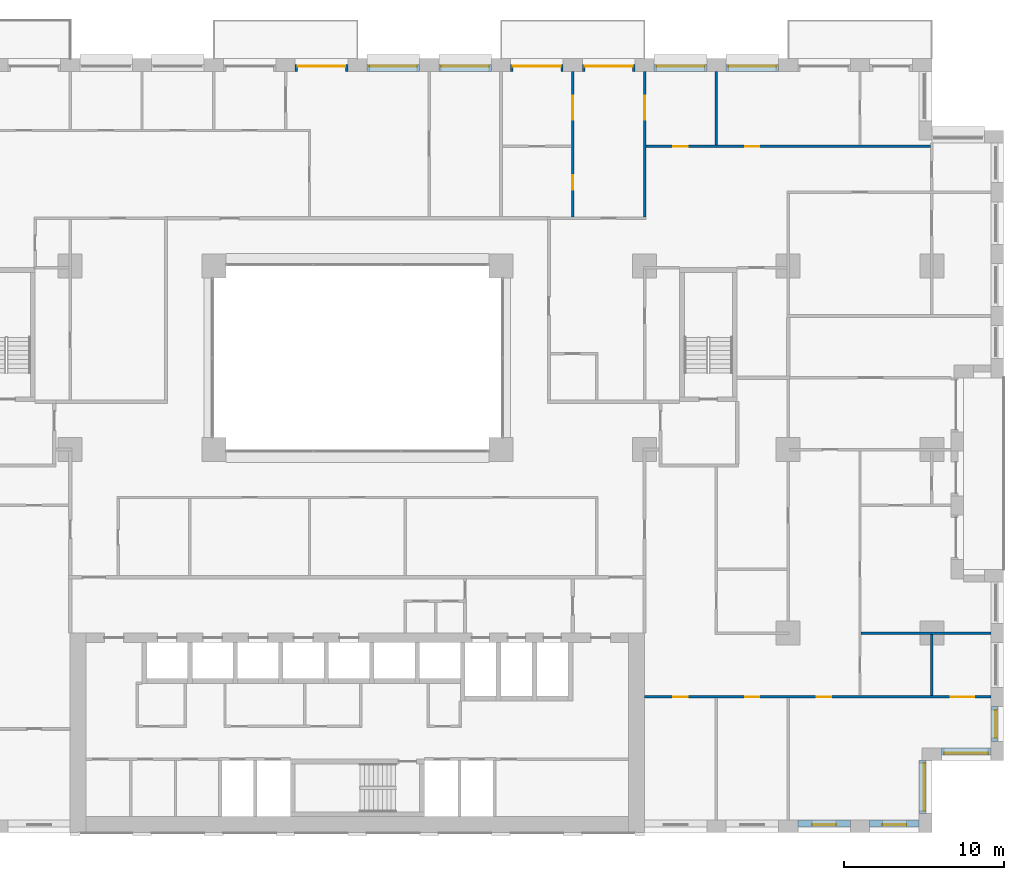
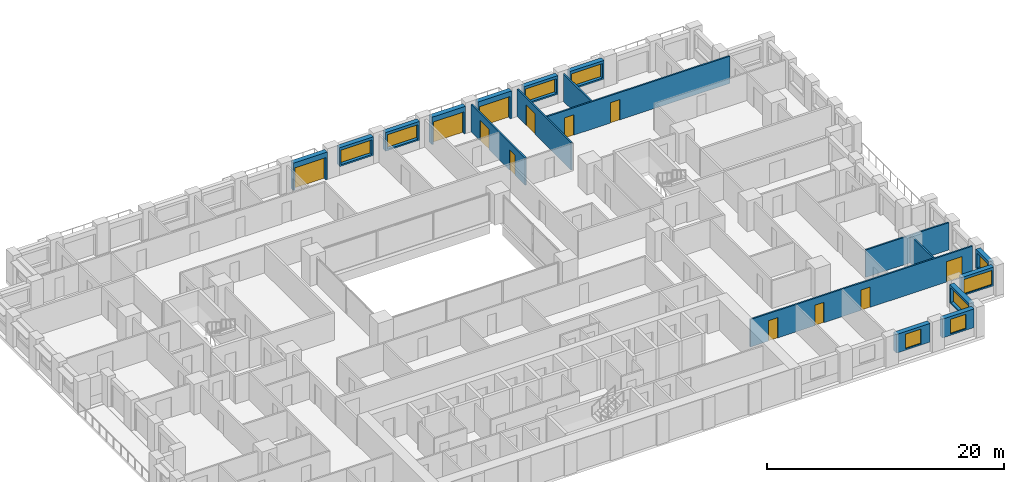
# One storey, part 16 of 20: 19 walls, 12 doors, 9 windows, 21 openings.
"""IFC4 building model written with IfcOpenShell, lengths in metres."""

from ifc_helpers import new_model, si_unit, direction, frame, frame_2d, origin, place, context, subcontext, project, spatial, rectangle, extrude, material, layer, layer_set, type_object, element, fill, save


model = new_model("IFC4")

# Units and contexts
model_context = context("Model", 3, precision=1e-05, world=origin(), true_north=direction((0.0, 1.0)))
body_context = subcontext(model_context, "Body", "Model", "MODEL_VIEW")
ifc_project = project(units=[si_unit("LENGTHUNIT", "METRE"), si_unit("AREAUNIT", "SQUARE_METRE"), si_unit("VOLUMEUNIT", "CUBIC_METRE"), si_unit("PLANEANGLEUNIT", "RADIAN"), si_unit("MASSUNIT", "GRAM", prefix="KILO")], contexts=[model_context])

# Site, building, storey
site_placement = place(None, origin())
site = spatial("IfcSite", under=ifc_project, at=site_placement, CompositionType="ELEMENT")
building_placement = place(site_placement, origin())
building = spatial("IfcBuilding", under=site, at=building_placement, Name="Brigalow Station Residences", CompositionType="ELEMENT")
storey_placement = place(building_placement, frame((0.0, 0.0, 57.300048828125)))
storey = spatial("IfcBuildingStorey", under=building, at=storey_placement, Name="L16", CompositionType="ELEMENT", Elevation=57.300048828125)

# Wall, opening, window
ifc_material_1 = material(Name="Clay brick masonry", Category="masonry")
ifc_layer_1 = layer(ifc_material_1, 0.449951171875)
ifc_layer_set_1 = layer_set([ifc_layer_1], Name="BRICK INFILL WALL 450")
wall_type_1 = type_object("IfcWallType", Name="BRICK INFILL WALL 450", PredefinedType="SOLIDWALL", material=ifc_layer_set_1)
wall_1_placement = place(storey_placement, frame((63.60009765625, 0.574951171875, 0.89990234375), z_axis=(0.0, 0.0, 1.0), x_axis=(1.0, 0.0, 0.0)))
wall_1 = element("IfcWall", 1, at=wall_1_placement, inside=storey, type_object=wall_type_1, Name="L16/ewall/W-L16-7", PredefinedType="SOLIDWALL", context=body_context, shape_type="SweptSolid", body=[
    extrude(rectangle(XDim=3.2998046875, YDim=0.449951171875, at=frame_2d((1.64990234375, 0.0))), origin(), (0.0, 0.0, 1.0), 1.929931640625),
])
opening_1_placement = place(wall_1_placement, frame((0.89990234375, 0.0, 0.14990234375)))
opening_1 = element("IfcOpeningElement", 2, at=opening_1_placement, cuts=wall_1, Name="Opening WT-1", PredefinedType="OPENING", context=body_context, shape_type="SweptSolid", body=[
    extrude(rectangle(XDim=1.5, YDim=1.5, at=frame_2d((0.75, 0.75))), frame((0.0, 0.23486328125, 0.0), z_axis=(0.0, -1.0, 0.0), x_axis=(1.0, 0.0, 0.0)), (0.0, 0.0, 1.0), 0.469970703125),
])
ifc_material_2 = material(Name="Anodised aluminium frame with double glazing", Category="aluminium")
window_type_1 = type_object("IfcWindowType", Name="WINDOW 1500x1500", PartitioningType="SINGLE_PANEL", PredefinedType="WINDOW", material=ifc_material_2)
window_1_placement = place(opening_1_placement, origin())
window_1 = element("IfcWindow", 3, at=window_1_placement, inside=storey, type_object=window_type_1, Name="L16/window/W-L16-7", OverallHeight=1.5, OverallWidth=1.5, PartitioningType="SINGLE_PANEL", PredefinedType="WINDOW", context=body_context, shape_type="SweptSolid", body=[
    extrude(rectangle(XDim=1.5, YDim=1.5, at=frame_2d((0.75, 0.75))), frame((0.0, -0.06494140625, 0.0), z_axis=(0.0, -1.0, 0.0), x_axis=(1.0, 0.0, 0.0)), (0.0, 0.0, 1.0), 0.06005859375),
])
fill(opening_1, window_1)

wall_2_placement = place(storey_placement, frame((68.10009765625, 0.574951171875, 0.89990234375), z_axis=(0.0, 0.0, 1.0), x_axis=(1.0, 0.0, 0.0)))
wall_2 = element("IfcWall", 4, at=wall_2_placement, inside=storey, type_object=wall_type_1, Name="L16/ewall/W-L16-8", PredefinedType="SOLIDWALL", context=body_context, shape_type="SweptSolid", body=[
    extrude(rectangle(XDim=3.099853515625, YDim=0.449951171875, at=frame_2d((1.5498046875, 0.0))), origin(), (0.0, 0.0, 1.0), 1.929931640625),
])
opening_2_placement = place(wall_2_placement, frame((0.800048828125, 0.0, 0.14990234375)))
opening_2 = element("IfcOpeningElement", 5, at=opening_2_placement, cuts=wall_2, Name="Opening WT-1", PredefinedType="OPENING", context=body_context, shape_type="SweptSolid", body=[
    extrude(rectangle(XDim=1.5, YDim=1.5, at=frame_2d((0.75, 0.75))), frame((0.0, 0.23486328125, 0.0), z_axis=(0.0, -1.0, 0.0), x_axis=(1.0, 0.0, 0.0)), (0.0, 0.0, 1.0), 0.469970703125),
])
window_2_placement = place(opening_2_placement, origin())
window_2 = element("IfcWindow", 6, at=window_2_placement, inside=storey, type_object=window_type_1, Name="L16/window/W-L16-8", OverallHeight=1.5, OverallWidth=1.5, PartitioningType="SINGLE_PANEL", PredefinedType="WINDOW", context=body_context, shape_type="SweptSolid", body=[
    extrude(rectangle(XDim=1.5, YDim=1.5, at=frame_2d((0.75, 0.75))), frame((0.0, -0.06494140625, 0.0), z_axis=(0.0, -1.0, 0.0), x_axis=(1.0, 0.0, 0.0)), (0.0, 0.0, 1.0), 0.06005859375),
])
fill(opening_2, window_2)

wall_3_placement = place(storey_placement, frame((71.425048828125, 1.199951171875, 0.89990234375), z_axis=(0.0, 0.0, 1.0), x_axis=(0.0, 1.0, 0.0)))
wall_3 = element("IfcWall", 7, at=wall_3_placement, inside=storey, type_object=wall_type_1, Name="L16/ewall/W-L16-9", PredefinedType="SOLIDWALL", context=body_context, shape_type="SweptSolid", body=[
    extrude(rectangle(XDim=3.300048828125, YDim=0.449951171875, at=frame_2d((1.64990234375, 0.0))), origin(), (0.0, 0.0, 1.0), 1.929931640625),
])
opening_3_placement = place(wall_3_placement, frame((0.14990234375, 0.0, 0.14990234375)))
opening_3 = element("IfcOpeningElement", 8, at=opening_3_placement, cuts=wall_3, Name="Opening WT-2", PredefinedType="OPENING", context=body_context, shape_type="SweptSolid", body=[
    extrude(rectangle(XDim=3.0, YDim=1.5, at=frame_2d((1.5, 0.75))), frame((0.0, 0.23486328125, 0.0), z_axis=(0.0, -1.0, 0.0), x_axis=(1.0, 0.0, 0.0)), (0.0, 0.0, 1.0), 0.469970703125),
])
ifc_material_3 = material(Name="Anodised aluminium frame with double glazing", Category="aluminium")
window_type_2 = type_object("IfcWindowType", Name="WINDOW 3000x1500", PartitioningType="SINGLE_PANEL", PredefinedType="WINDOW", material=ifc_material_3)
window_3_placement = place(opening_3_placement, origin())
window_3 = element("IfcWindow", 9, at=window_3_placement, inside=storey, type_object=window_type_2, Name="L16/window/W-L16-9", OverallHeight=1.5, OverallWidth=3.0, PartitioningType="SINGLE_PANEL", PredefinedType="WINDOW", context=body_context, shape_type="SweptSolid", body=[
    extrude(rectangle(XDim=3.0, YDim=1.5, at=frame_2d((1.5, 0.75))), frame((0.0, -0.06494140625, 0.0), z_axis=(0.0, -1.0, 0.0), x_axis=(1.0, 0.0, 0.0)), (0.0, 0.0, 1.0), 0.06005859375),
])
fill(opening_3, window_3)

wall_4_placement = place(storey_placement, frame((72.60009765625, 5.074951171875, 0.89990234375), z_axis=(0.0, 0.0, 1.0), x_axis=(1.0, 0.0, 0.0)))
wall_4 = element("IfcWall", 10, at=wall_4_placement, inside=storey, type_object=wall_type_1, Name="L16/ewall/W-L16-10", PredefinedType="SOLIDWALL", context=body_context, shape_type="SweptSolid", body=[
    extrude(rectangle(XDim=3.099853515625, YDim=0.449951171875, at=frame_2d((1.5498046875, 0.0))), origin(), (0.0, 0.0, 1.0), 1.929931640625),
])
opening_4_placement = place(wall_4_placement, frame((0.175048828125, 0.0, 0.14990234375)))
opening_4 = element("IfcOpeningElement", 11, at=opening_4_placement, cuts=wall_4, Name="Opening WT-3", PredefinedType="OPENING", context=body_context, shape_type="SweptSolid", body=[
    extrude(rectangle(XDim=2.75, YDim=1.5, at=frame_2d((1.375, 0.75))), frame((0.0, 0.23486328125, 0.0), z_axis=(0.0, -1.0, 0.0), x_axis=(1.0, 0.0, 0.0)), (0.0, 0.0, 1.0), 0.469970703125),
])
ifc_material_4 = material(Name="Anodised aluminium frame with double glazing", Category="aluminium")
window_type_3 = type_object("IfcWindowType", Name="WINDOW 2750x1500", PartitioningType="SINGLE_PANEL", PredefinedType="WINDOW", material=ifc_material_4)
window_4_placement = place(opening_4_placement, origin())
window_4 = element("IfcWindow", 12, at=window_4_placement, inside=storey, type_object=window_type_3, Name="L16/window/W-L16-10", OverallHeight=1.5, OverallWidth=2.75, PartitioningType="SINGLE_PANEL", PredefinedType="WINDOW", context=body_context, shape_type="SweptSolid", body=[
    extrude(rectangle(XDim=2.75, YDim=1.5, at=frame_2d((1.375, 0.75))), frame((0.0, -0.06494140625, 0.0), z_axis=(0.0, -1.0, 0.0), x_axis=(1.0, 0.0, 0.0)), (0.0, 0.0, 1.0), 0.06005859375),
])
fill(opening_4, window_4)

wall_5_placement = place(storey_placement, frame((75.925048828125, 5.699951171875, 0.89990234375), z_axis=(0.0, 0.0, 1.0), x_axis=(0.0, 1.0, 0.0)))
wall_5 = element("IfcWall", 13, at=wall_5_placement, inside=storey, type_object=wall_type_1, Name="L16/ewall/W-L16-11", PredefinedType="SOLIDWALL", context=body_context, shape_type="SweptSolid", body=[
    extrude(rectangle(XDim=2.199951171875, YDim=0.449951171875, at=frame_2d((1.10009765625, 0.0))), origin(), (0.0, 0.0, 1.0), 1.929931640625),
])
opening_5_placement = place(wall_5_placement, frame((0.22509765625, 0.0, 0.14990234375)))
opening_5 = element("IfcOpeningElement", 14, at=opening_5_placement, cuts=wall_5, Name="Opening WT-4", PredefinedType="OPENING", context=body_context, shape_type="SweptSolid", body=[
    extrude(rectangle(XDim=1.75, YDim=1.5, at=frame_2d((0.875, 0.75))), frame((0.0, 0.23486328125, 0.0), z_axis=(0.0, -1.0, 0.0), x_axis=(1.0, 0.0, 0.0)), (0.0, 0.0, 1.0), 0.469970703125),
])
ifc_material_5 = material(Name="Anodised aluminium frame with double glazing", Category="aluminium")
window_type_4 = type_object("IfcWindowType", Name="WINDOW 1750x1500", PartitioningType="SINGLE_PANEL", PredefinedType="WINDOW", material=ifc_material_5)
window_5_placement = place(opening_5_placement, origin())
window_5 = element("IfcWindow", 15, at=window_5_placement, inside=storey, type_object=window_type_4, Name="L16/window/W-L16-11", OverallHeight=1.5, OverallWidth=1.75, PartitioningType="SINGLE_PANEL", PredefinedType="WINDOW", context=body_context, shape_type="SweptSolid", body=[
    extrude(rectangle(XDim=1.75, YDim=1.5, at=frame_2d((0.875, 0.75))), frame((0.0, -0.06494140625, 0.0), z_axis=(0.0, -1.0, 0.0), x_axis=(1.0, 0.0, 0.0)), (0.0, 0.0, 1.0), 0.06005859375),
])
fill(opening_5, window_5)

wall_6_placement = place(storey_placement, frame((62.39990234375, 47.925048828125, 0.89990234375), z_axis=(0.0, 0.0, 1.0), x_axis=(-1.0, 0.0, 0.0)))
wall_6 = element("IfcWall", 16, at=wall_6_placement, inside=storey, type_object=wall_type_1, Name="L16/ewall/W-L16-27", PredefinedType="SOLIDWALL", context=body_context, shape_type="SweptSolid", body=[
    extrude(rectangle(XDim=3.2998046875, YDim=0.449951171875, at=frame_2d((1.64990234375, 0.0))), origin(), (0.0, 0.0, 1.0), 1.929931640625),
])
opening_6_placement = place(wall_6_placement, frame((0.14990234375, 0.0, 0.14990234375)))
opening_6 = element("IfcOpeningElement", 17, at=opening_6_placement, cuts=wall_6, Name="Opening WT-2", PredefinedType="OPENING", context=body_context, shape_type="SweptSolid", body=[
    extrude(rectangle(XDim=3.0, YDim=1.5, at=frame_2d((1.5, 0.75))), frame((0.0, 0.23486328125, 0.0), z_axis=(0.0, -1.0, 0.0), x_axis=(1.0, 0.0, 0.0)), (0.0, 0.0, 1.0), 0.469970703125),
])
window_6_placement = place(opening_6_placement, origin())
window_6 = element("IfcWindow", 18, at=window_6_placement, inside=storey, type_object=window_type_2, Name="L16/window/W-L16-27", OverallHeight=1.5, OverallWidth=3.0, PartitioningType="SINGLE_PANEL", PredefinedType="WINDOW", context=body_context, shape_type="SweptSolid", body=[
    extrude(rectangle(XDim=3.0, YDim=1.5, at=frame_2d((1.5, 0.75))), frame((0.0, -0.06494140625, 0.0), z_axis=(0.0, -1.0, 0.0), x_axis=(1.0, 0.0, 0.0)), (0.0, 0.0, 1.0), 0.06005859375),
])
fill(opening_6, window_6)

wall_7_placement = place(storey_placement, frame((57.89990234375, 47.925048828125, 0.89990234375), z_axis=(0.0, 0.0, 1.0), x_axis=(-1.0, 0.0, 0.0)))
wall_7 = element("IfcWall", 19, at=wall_7_placement, inside=storey, type_object=wall_type_1, Name="L16/ewall/W-L16-28", PredefinedType="SOLIDWALL", context=body_context, shape_type="SweptSolid", body=[
    extrude(rectangle(XDim=3.2998046875, YDim=0.449951171875, at=frame_2d((1.64990234375, 0.0))), origin(), (0.0, 0.0, 1.0), 1.929931640625),
])
opening_7_placement = place(wall_7_placement, frame((0.14990234375, 0.0, 0.14990234375)))
opening_7 = element("IfcOpeningElement", 20, at=opening_7_placement, cuts=wall_7, Name="Opening WT-2", PredefinedType="OPENING", context=body_context, shape_type="SweptSolid", body=[
    extrude(rectangle(XDim=3.0, YDim=1.5, at=frame_2d((1.5, 0.75))), frame((0.0, 0.23486328125, 0.0), z_axis=(0.0, -1.0, 0.0), x_axis=(1.0, 0.0, 0.0)), (0.0, 0.0, 1.0), 0.469970703125),
])
window_7_placement = place(opening_7_placement, origin())
window_7 = element("IfcWindow", 21, at=window_7_placement, inside=storey, type_object=window_type_2, Name="L16/window/W-L16-28", OverallHeight=1.5, OverallWidth=3.0, PartitioningType="SINGLE_PANEL", PredefinedType="WINDOW", context=body_context, shape_type="SweptSolid", body=[
    extrude(rectangle(XDim=3.0, YDim=1.5, at=frame_2d((1.5, 0.75))), frame((0.0, -0.06494140625, 0.0), z_axis=(0.0, -1.0, 0.0), x_axis=(1.0, 0.0, 0.0)), (0.0, 0.0, 1.0), 0.06005859375),
])
fill(opening_7, window_7)

# Wall, opening, door
wall_8_placement = place(storey_placement, frame((53.39990234375, 47.925048828125, 0.0), z_axis=(0.0, 0.0, 1.0), x_axis=(-1.0, 0.0, 0.0)))
wall_8 = element("IfcWall", 22, at=wall_8_placement, inside=storey, type_object=wall_type_1, Name="L16/ewall/W-L16-29", PredefinedType="SOLIDWALL", context=body_context, shape_type="SweptSolid", body=[
    extrude(rectangle(XDim=3.2998046875, YDim=0.449951171875, at=frame_2d((1.64990234375, 0.0))), origin(), (0.0, 0.0, 1.0), 2.829833984375),
])
opening_8_placement = place(wall_8_placement, frame((0.14990234375, 0.0, 0.0)))
opening_8 = element("IfcOpeningElement", 23, at=opening_8_placement, cuts=wall_8, Name="Opening D-B3000", PredefinedType="OPENING", context=body_context, shape_type="SweptSolid", body=[
    extrude(rectangle(XDim=3.0, YDim=2.300048828125, at=frame_2d((1.5, 1.14990234375))), frame((0.0, 0.23486328125, 0.0), z_axis=(0.0, -1.0, 0.0), x_axis=(1.0, 0.0, 0.0)), (0.0, 0.0, 1.0), 0.469970703125),
])
ifc_material_6 = material(Name="Anodised aluminium frame with double glazing", Category="aluminium")
door_type_1 = type_object("IfcDoorType", Name="BALCONY SLIDING DOOR 3000x2300", OperationType="SLIDING_TO_LEFT", PredefinedType="DOOR", material=ifc_material_6)
door_1_placement = place(opening_8_placement, origin())
door_1 = element("IfcDoor", 24, at=door_1_placement, inside=storey, type_object=door_type_1, Name="L16/balcony-door/W-L16-29", OperationType="SLIDING_TO_LEFT", OverallHeight=2.300048828125, OverallWidth=3.0, PredefinedType="DOOR", context=body_context, shape_type="SweptSolid", body=[
    extrude(rectangle(XDim=3.0, YDim=2.300048828125, at=frame_2d((1.5, 1.14990234375))), frame((0.0, -0.06982421875, 0.0), z_axis=(0.0, -1.0, 0.0), x_axis=(1.0, 0.0, 0.0)), (0.0, 0.0, 1.0), 0.050048828125),
])
fill(opening_8, door_1)

wall_9_placement = place(storey_placement, frame((48.89990234375, 47.925048828125, 0.0), z_axis=(0.0, 0.0, 1.0), x_axis=(-1.0, 0.0, 0.0)))
wall_9 = element("IfcWall", 25, at=wall_9_placement, inside=storey, type_object=wall_type_1, Name="L16/ewall/W-L16-30", PredefinedType="SOLIDWALL", context=body_context, shape_type="SweptSolid", body=[
    extrude(rectangle(XDim=3.2998046875, YDim=0.449951171875, at=frame_2d((1.64990234375, 0.0))), origin(), (0.0, 0.0, 1.0), 2.829833984375),
])
opening_9_placement = place(wall_9_placement, frame((0.14990234375, 0.0, 0.0)))
opening_9 = element("IfcOpeningElement", 26, at=opening_9_placement, cuts=wall_9, Name="Opening D-B3000", PredefinedType="OPENING", context=body_context, shape_type="SweptSolid", body=[
    extrude(rectangle(XDim=3.0, YDim=2.300048828125, at=frame_2d((1.5, 1.14990234375))), frame((0.0, 0.23486328125, 0.0), z_axis=(0.0, -1.0, 0.0), x_axis=(1.0, 0.0, 0.0)), (0.0, 0.0, 1.0), 0.469970703125),
])
door_2_placement = place(opening_9_placement, origin())
door_2 = element("IfcDoor", 27, at=door_2_placement, inside=storey, type_object=door_type_1, Name="L16/balcony-door/W-L16-30", OperationType="SLIDING_TO_LEFT", OverallHeight=2.300048828125, OverallWidth=3.0, PredefinedType="DOOR", context=body_context, shape_type="SweptSolid", body=[
    extrude(rectangle(XDim=3.0, YDim=2.300048828125, at=frame_2d((1.5, 1.14990234375))), frame((0.0, -0.06982421875, 0.0), z_axis=(0.0, -1.0, 0.0), x_axis=(1.0, 0.0, 0.0)), (0.0, 0.0, 1.0), 0.050048828125),
])
fill(opening_9, door_2)

# Wall, opening, window
wall_10_placement = place(storey_placement, frame((44.39990234375, 47.925048828125, 0.89990234375), z_axis=(0.0, 0.0, 1.0), x_axis=(-1.0, 0.0, 0.0)))
wall_10 = element("IfcWall", 28, at=wall_10_placement, inside=storey, type_object=wall_type_1, Name="L16/ewall/W-L16-31", PredefinedType="SOLIDWALL", context=body_context, shape_type="SweptSolid", body=[
    extrude(rectangle(XDim=3.2998046875, YDim=0.449951171875, at=frame_2d((1.64990234375, 0.0))), origin(), (0.0, 0.0, 1.0), 1.929931640625),
])
opening_10_placement = place(wall_10_placement, frame((0.14990234375, 0.0, 0.14990234375)))
opening_10 = element("IfcOpeningElement", 29, at=opening_10_placement, cuts=wall_10, Name="Opening WT-2", PredefinedType="OPENING", context=body_context, shape_type="SweptSolid", body=[
    extrude(rectangle(XDim=3.0, YDim=1.5, at=frame_2d((1.5, 0.75))), frame((0.0, 0.23486328125, 0.0), z_axis=(0.0, -1.0, 0.0), x_axis=(1.0, 0.0, 0.0)), (0.0, 0.0, 1.0), 0.469970703125),
])
window_8_placement = place(opening_10_placement, origin())
window_8 = element("IfcWindow", 30, at=window_8_placement, inside=storey, type_object=window_type_2, Name="L16/window/W-L16-31", OverallHeight=1.5, OverallWidth=3.0, PartitioningType="SINGLE_PANEL", PredefinedType="WINDOW", context=body_context, shape_type="SweptSolid", body=[
    extrude(rectangle(XDim=3.0, YDim=1.5, at=frame_2d((1.5, 0.75))), frame((0.0, -0.06494140625, 0.0), z_axis=(0.0, -1.0, 0.0), x_axis=(1.0, 0.0, 0.0)), (0.0, 0.0, 1.0), 0.06005859375),
])
fill(opening_10, window_8)

wall_11_placement = place(storey_placement, frame((39.89990234375, 47.925048828125, 0.89990234375), z_axis=(0.0, 0.0, 1.0), x_axis=(-1.0, 0.0, 0.0)))
wall_11 = element("IfcWall", 31, at=wall_11_placement, inside=storey, type_object=wall_type_1, Name="L16/ewall/W-L16-32", PredefinedType="SOLIDWALL", context=body_context, shape_type="SweptSolid", body=[
    extrude(rectangle(XDim=3.2998046875, YDim=0.449951171875, at=frame_2d((1.64990234375, 0.0))), origin(), (0.0, 0.0, 1.0), 1.929931640625),
])
opening_11_placement = place(wall_11_placement, frame((0.14990234375, 0.0, 0.14990234375)))
opening_11 = element("IfcOpeningElement", 32, at=opening_11_placement, cuts=wall_11, Name="Opening WT-2", PredefinedType="OPENING", context=body_context, shape_type="SweptSolid", body=[
    extrude(rectangle(XDim=3.0, YDim=1.5, at=frame_2d((1.5, 0.75))), frame((0.0, 0.23486328125, 0.0), z_axis=(0.0, -1.0, 0.0), x_axis=(1.0, 0.0, 0.0)), (0.0, 0.0, 1.0), 0.469970703125),
])
window_9_placement = place(opening_11_placement, origin())
window_9 = element("IfcWindow", 33, at=window_9_placement, inside=storey, type_object=window_type_2, Name="L16/window/W-L16-32", OverallHeight=1.5, OverallWidth=3.0, PartitioningType="SINGLE_PANEL", PredefinedType="WINDOW", context=body_context, shape_type="SweptSolid", body=[
    extrude(rectangle(XDim=3.0, YDim=1.5, at=frame_2d((1.5, 0.75))), frame((0.0, -0.06494140625, 0.0), z_axis=(0.0, -1.0, 0.0), x_axis=(1.0, 0.0, 0.0)), (0.0, 0.0, 1.0), 0.06005859375),
])
fill(opening_11, window_9)

# Wall, opening, door
wall_12_placement = place(storey_placement, frame((35.39990234375, 47.925048828125, 0.0), z_axis=(0.0, 0.0, 1.0), x_axis=(-1.0, 0.0, 0.0)))
wall_12 = element("IfcWall", 34, at=wall_12_placement, inside=storey, type_object=wall_type_1, Name="L16/ewall/W-L16-33", PredefinedType="SOLIDWALL", context=body_context, shape_type="SweptSolid", body=[
    extrude(rectangle(XDim=3.2998046875, YDim=0.449951171875, at=frame_2d((1.64990234375, 0.0))), origin(), (0.0, 0.0, 1.0), 2.829833984375),
])
opening_12_placement = place(wall_12_placement, frame((0.14990234375, 0.0, 0.0)))
opening_12 = element("IfcOpeningElement", 35, at=opening_12_placement, cuts=wall_12, Name="Opening D-B3000", PredefinedType="OPENING", context=body_context, shape_type="SweptSolid", body=[
    extrude(rectangle(XDim=3.0, YDim=2.300048828125, at=frame_2d((1.5, 1.14990234375))), frame((0.0, 0.23486328125, 0.0), z_axis=(0.0, -1.0, 0.0), x_axis=(1.0, 0.0, 0.0)), (0.0, 0.0, 1.0), 0.469970703125),
])
door_3_placement = place(opening_12_placement, origin())
door_3 = element("IfcDoor", 36, at=door_3_placement, inside=storey, type_object=door_type_1, Name="L16/balcony-door/W-L16-33", OperationType="SLIDING_TO_LEFT", OverallHeight=2.300048828125, OverallWidth=3.0, PredefinedType="DOOR", context=body_context, shape_type="SweptSolid", body=[
    extrude(rectangle(XDim=3.0, YDim=2.300048828125, at=frame_2d((1.5, 1.14990234375))), frame((0.0, -0.06982421875, 0.0), z_axis=(0.0, -1.0, 0.0), x_axis=(1.0, 0.0, 0.0)), (0.0, 0.0, 1.0), 0.050048828125),
])
fill(opening_12, door_3)

# Wall
ifc_material_7 = material(Name="Plasterboard on steel stud partition", Category="steel")
ifc_layer_2 = layer(ifc_material_7, 0.14990234375)
ifc_layer_set_2 = layer_set([ifc_layer_2], Name="FLAT PARTITION 150")
wall_type_2 = type_object("IfcWallType", Name="FLAT PARTITION 150", PredefinedType="PARTITIONING", material=ifc_layer_set_2)
wall_13_placement = place(storey_placement, frame((67.574951171875, 12.5, 0.0), z_axis=(0.0, 0.0, 1.0), x_axis=(1.0, 0.0, 0.0)))
element("IfcWall", 37, at=wall_13_placement, inside=storey, type_object=wall_type_2, Name="PW-1E14", PredefinedType="PARTITIONING", context=body_context, shape_type="SweptSolid", body=[
    extrude(rectangle(XDim=8.125, YDim=0.14990234375, at=frame_2d((4.0625, 0.0))), origin(), (0.0, 0.0, 1.0), 2.829833984375),
])

# Wall, openings, doors
wall_14_placement = place(storey_placement, frame((54.074951171875, 43.0, 0.0), z_axis=(0.0, 0.0, 1.0), x_axis=(1.0, 0.0, 0.0)))
wall_14 = element("IfcWall", 38, at=wall_14_placement, inside=storey, type_object=wall_type_2, Name="PW-1E34", PredefinedType="PARTITIONING", context=body_context, shape_type="SweptSolid", body=[
    extrude(rectangle(XDim=17.85009765625, YDim=0.14990234375, at=frame_2d((8.925048828125, 0.0))), origin(), (0.0, 0.0, 1.0), 2.829833984375),
])
opening_13_placement = place(wall_14_placement, frame((6.22509765625, 0.0, 0.0)))
opening_13 = element("IfcOpeningElement", 39, at=opening_13_placement, cuts=wall_14, Name="Opening D-1E40", PredefinedType="OPENING", context=body_context, shape_type="SweptSolid", body=[
    extrude(rectangle(XDim=0.89990234375, YDim=2.10009765625, at=frame_2d((0.449951171875, 1.050048828125))), frame((0.0, 0.0849609375, 0.0), z_axis=(0.0, -1.0, 0.0), x_axis=(1.0, 0.0, 0.0)), (0.0, 0.0, 1.0), 0.169921875),
])
opening_14_placement = place(wall_14_placement, frame((1.72509765625, 0.0, 0.0)))
opening_14 = element("IfcOpeningElement", 40, at=opening_14_placement, cuts=wall_14, Name="Opening D-1E45", PredefinedType="OPENING", context=body_context, shape_type="SweptSolid", body=[
    extrude(rectangle(XDim=0.89990234375, YDim=2.10009765625, at=frame_2d((0.449951171875, 1.050048828125))), frame((0.0, 0.0849609375, 0.0), z_axis=(0.0, -1.0, 0.0), x_axis=(1.0, 0.0, 0.0)), (0.0, 0.0, 1.0), 0.169921875),
])
ifc_material_8 = material(Name="Solid-core timber door leaf", Category="wood")
door_type_2 = type_object("IfcDoorType", Name="INTERNAL DOOR 900 x 2100", OperationType="SINGLE_SWING_LEFT", PredefinedType="DOOR", material=ifc_material_8)
door_4_placement = place(opening_13_placement, origin())
door_4 = element("IfcDoor", 41, at=door_4_placement, inside=storey, type_object=door_type_2, Name="D-1E40", OperationType="SINGLE_SWING_LEFT", OverallHeight=2.10009765625, OverallWidth=0.89990234375, PredefinedType="DOOR", context=body_context, shape_type="SweptSolid", body=[
    extrude(rectangle(XDim=0.89990234375, YDim=2.10009765625, at=frame_2d((0.449951171875, 1.050048828125))), frame((0.0, 0.02490234375, 0.0), z_axis=(0.0, -1.0, 0.0), x_axis=(1.0, 0.0, 0.0)), (0.0, 0.0, 1.0), 0.050048828125),
])
fill(opening_13, door_4)
door_5_placement = place(opening_14_placement, origin())
door_5 = element("IfcDoor", 42, at=door_5_placement, inside=storey, type_object=door_type_2, Name="D-1E45", OperationType="SINGLE_SWING_LEFT", OverallHeight=2.10009765625, OverallWidth=0.89990234375, PredefinedType="DOOR", context=body_context, shape_type="SweptSolid", body=[
    extrude(rectangle(XDim=0.89990234375, YDim=2.10009765625, at=frame_2d((0.449951171875, 1.050048828125))), frame((0.0, 0.02490234375, 0.0), z_axis=(0.0, -1.0, 0.0), x_axis=(1.0, 0.0, 0.0)), (0.0, 0.0, 1.0), 0.050048828125),
])
fill(opening_14, door_5)

wall_15_placement = place(storey_placement, frame((54.0, 8.5, 0.0), z_axis=(0.0, 0.0, 1.0), x_axis=(1.0, 0.0, 0.0)))
wall_15 = element("IfcWall", 43, at=wall_15_placement, inside=storey, type_object=wall_type_2, Name="PW-1E35", PredefinedType="PARTITIONING", context=body_context, shape_type="SweptSolid", body=[
    extrude(rectangle(XDim=21.699951171875, YDim=0.14990234375, at=frame_2d((10.85009765625, 0.0))), origin(), (0.0, 0.0, 1.0), 2.829833984375),
])
opening_15_placement = place(wall_15_placement, frame((6.300048828125, 0.0, 0.0)))
opening_15 = element("IfcOpeningElement", 44, at=opening_15_placement, cuts=wall_15, Name="Opening D-1E52", PredefinedType="OPENING", context=body_context, shape_type="SweptSolid", body=[
    extrude(rectangle(XDim=0.89990234375, YDim=2.10009765625, at=frame_2d((0.449951171875, 1.050048828125))), frame((0.0, 0.0849609375, 0.0), z_axis=(0.0, -1.0, 0.0), x_axis=(1.0, 0.0, 0.0)), (0.0, 0.0, 1.0), 0.169921875),
])
opening_16_placement = place(wall_15_placement, frame((1.800048828125, 0.0, 0.0)))
opening_16 = element("IfcOpeningElement", 45, at=opening_16_placement, cuts=wall_15, Name="Opening D-1E57", PredefinedType="OPENING", context=body_context, shape_type="SweptSolid", body=[
    extrude(rectangle(XDim=0.89990234375, YDim=2.10009765625, at=frame_2d((0.449951171875, 1.050048828125))), frame((0.0, 0.0849609375, 0.0), z_axis=(0.0, -1.0, 0.0), x_axis=(1.0, 0.0, 0.0)), (0.0, 0.0, 1.0), 0.169921875),
])
opening_17_placement = place(wall_15_placement, frame((10.800048828125, 0.0, 0.0)))
opening_17 = element("IfcOpeningElement", 46, at=opening_17_placement, cuts=wall_15, Name="Opening D-1E58", PredefinedType="OPENING", context=body_context, shape_type="SweptSolid", body=[
    extrude(rectangle(XDim=0.89990234375, YDim=2.10009765625, at=frame_2d((0.449951171875, 1.050048828125))), frame((0.0, 0.0849609375, 0.0), z_axis=(0.0, -1.0, 0.0), x_axis=(1.0, 0.0, 0.0)), (0.0, 0.0, 1.0), 0.169921875),
])
opening_18_placement = place(wall_15_placement, frame((19.175048828125, 0.0, 0.0)))
opening_18 = element("IfcOpeningElement", 47, at=opening_18_placement, cuts=wall_15, Name="Opening D-1E62", PredefinedType="OPENING", context=body_context, shape_type="SweptSolid", body=[
    extrude(rectangle(XDim=1.5, YDim=2.10009765625, at=frame_2d((0.75, 1.050048828125))), frame((0.0, 0.0849609375, 0.0), z_axis=(0.0, -1.0, 0.0), x_axis=(1.0, 0.0, 0.0)), (0.0, 0.0, 1.0), 0.169921875),
])
door_6_placement = place(opening_15_placement, frame((0.89990234375, 0.0, 0.0), z_axis=(0.0, 0.0, 1.0), x_axis=(-1.0, 0.0, 0.0)))
door_6 = element("IfcDoor", 48, at=door_6_placement, inside=storey, type_object=door_type_2, Name="D-1E52", OperationType="SINGLE_SWING_LEFT", OverallHeight=2.10009765625, OverallWidth=0.89990234375, PredefinedType="DOOR", context=body_context, shape_type="SweptSolid", body=[
    extrude(rectangle(XDim=0.89990234375, YDim=2.10009765625, at=frame_2d((0.449951171875, 1.050048828125))), frame((0.0, 0.02490234375, 0.0), z_axis=(0.0, -1.0, 0.0), x_axis=(1.0, 0.0, 0.0)), (0.0, 0.0, 1.0), 0.050048828125),
])
fill(opening_15, door_6)
door_7_placement = place(opening_16_placement, frame((0.89990234375, 0.0, 0.0), z_axis=(0.0, 0.0, 1.0), x_axis=(-1.0, 0.0, 0.0)))
door_7 = element("IfcDoor", 49, at=door_7_placement, inside=storey, type_object=door_type_2, Name="D-1E57", OperationType="SINGLE_SWING_LEFT", OverallHeight=2.10009765625, OverallWidth=0.89990234375, PredefinedType="DOOR", context=body_context, shape_type="SweptSolid", body=[
    extrude(rectangle(XDim=0.89990234375, YDim=2.10009765625, at=frame_2d((0.449951171875, 1.050048828125))), frame((0.0, 0.02490234375, 0.0), z_axis=(0.0, -1.0, 0.0), x_axis=(1.0, 0.0, 0.0)), (0.0, 0.0, 1.0), 0.050048828125),
])
fill(opening_16, door_7)
door_8_placement = place(opening_17_placement, frame((0.89990234375, 0.0, 0.0), z_axis=(0.0, 0.0, 1.0), x_axis=(-1.0, 0.0, 0.0)))
door_8 = element("IfcDoor", 50, at=door_8_placement, inside=storey, type_object=door_type_2, Name="D-1E58", OperationType="SINGLE_SWING_RIGHT", OverallHeight=2.10009765625, OverallWidth=0.89990234375, PredefinedType="DOOR", context=body_context, shape_type="SweptSolid", body=[
    extrude(rectangle(XDim=0.89990234375, YDim=2.10009765625, at=frame_2d((0.449951171875, 1.050048828125))), frame((0.0, 0.02490234375, 0.0), z_axis=(0.0, -1.0, 0.0), x_axis=(1.0, 0.0, 0.0)), (0.0, 0.0, 1.0), 0.050048828125),
])
fill(opening_17, door_8)
ifc_material_9 = material(Name="Solid-core timber door leaf", Category="wood")
door_type_3 = type_object("IfcDoorType", Name="INTERNAL DOUBLE DOOR 1500 x 2100", OperationType="DOUBLE_DOOR_SINGLE_SWING", PredefinedType="DOOR", material=ifc_material_9)
door_9_placement = place(opening_18_placement, origin())
door_9 = element("IfcDoor", 51, at=door_9_placement, inside=storey, type_object=door_type_3, Name="D-1E62", OperationType="DOUBLE_DOOR_SINGLE_SWING", OverallHeight=2.10009765625, OverallWidth=1.5, PredefinedType="DOOR", context=body_context, shape_type="SweptSolid", body=[
    extrude(rectangle(XDim=1.5, YDim=2.10009765625, at=frame_2d((0.75, 1.050048828125))), frame((0.0, 0.02490234375, 0.0), z_axis=(0.0, -1.0, 0.0), x_axis=(1.0, 0.0, 0.0)), (0.0, 0.0, 1.0), 0.050048828125),
])
fill(opening_18, door_9)

# Wall, opening, door
wall_16_placement = place(storey_placement, frame((54.0, 38.574951171875, 0.0), z_axis=(0.0, 0.0, 1.0), x_axis=(0.0, 1.0, 0.0)))
wall_16 = element("IfcWall", 52, at=wall_16_placement, inside=storey, type_object=wall_type_2, Name="PW-1E41", PredefinedType="PARTITIONING", context=body_context, shape_type="SweptSolid", body=[
    extrude(rectangle(XDim=9.125, YDim=0.14990234375, at=frame_2d((4.5625, 0.0))), origin(), (0.0, 0.0, 1.0), 2.829833984375),
])
opening_19_placement = place(wall_16_placement, frame((6.10009765625, 0.0, 0.0)))
opening_19 = element("IfcOpeningElement", 53, at=opening_19_placement, cuts=wall_16, Name="Opening D-1E48", PredefinedType="OPENING", context=body_context, shape_type="SweptSolid", body=[
    extrude(rectangle(XDim=1.5, YDim=2.10009765625, at=frame_2d((0.75, 1.050048828125))), frame((0.0, 0.0849609375, 0.0), z_axis=(0.0, -1.0, 0.0), x_axis=(1.0, 0.0, 0.0)), (0.0, 0.0, 1.0), 0.169921875),
])
door_10_placement = place(opening_19_placement, frame((1.5, 0.0, 0.0), z_axis=(0.0, 0.0, 1.0), x_axis=(-1.0, 0.0, 0.0)))
door_10 = element("IfcDoor", 54, at=door_10_placement, inside=storey, type_object=door_type_3, Name="D-1E48", OperationType="DOUBLE_DOOR_SINGLE_SWING", OverallHeight=2.10009765625, OverallWidth=1.5, PredefinedType="DOOR", context=body_context, shape_type="SweptSolid", body=[
    extrude(rectangle(XDim=1.5, YDim=2.10009765625, at=frame_2d((0.75, 1.050048828125))), frame((0.0, 0.02490234375, 0.0), z_axis=(0.0, -1.0, 0.0), x_axis=(1.0, 0.0, 0.0)), (0.0, 0.0, 1.0), 0.050048828125),
])
fill(opening_19, door_10)

# Wall
wall_17_placement = place(storey_placement, frame((72.0, 8.574951171875, 0.0), z_axis=(0.0, 0.0, 1.0), x_axis=(0.0, 1.0, 0.0)))
element("IfcWall", 55, at=wall_17_placement, inside=storey, type_object=wall_type_2, Name="PW-1E72", PredefinedType="PARTITIONING", context=body_context, shape_type="SweptSolid", body=[
    extrude(rectangle(XDim=3.85009765625, YDim=0.14990234375, at=frame_2d((1.925048828125, 0.0))), origin(), (0.0, 0.0, 1.0), 2.829833984375),
])

# Wall, openings, doors
wall_18_placement = place(storey_placement, frame((49.5, 38.574951171875, 0.0), z_axis=(0.0, 0.0, 1.0), x_axis=(0.0, 1.0, 0.0)))
wall_18 = element("IfcWall", 56, at=wall_18_placement, inside=storey, type_object=wall_type_2, Name="PW-1E76", PredefinedType="PARTITIONING", context=body_context, shape_type="SweptSolid", body=[
    extrude(rectangle(XDim=9.125, YDim=0.14990234375, at=frame_2d((4.5625, 0.0))), origin(), (0.0, 0.0, 1.0), 2.829833984375),
])
opening_20_placement = place(wall_18_placement, frame((6.10009765625, 0.0, 0.0)))
opening_20 = element("IfcOpeningElement", 57, at=opening_20_placement, cuts=wall_18, Name="Opening D-1E37", PredefinedType="OPENING", context=body_context, shape_type="SweptSolid", body=[
    extrude(rectangle(XDim=1.5, YDim=2.10009765625, at=frame_2d((0.75, 1.050048828125))), frame((0.0, 0.0849609375, 0.0), z_axis=(0.0, -1.0, 0.0), x_axis=(1.0, 0.0, 0.0)), (0.0, 0.0, 1.0), 0.169921875),
])
opening_21_placement = place(wall_18_placement, frame((1.72509765625, 0.0, 0.0)))
opening_21 = element("IfcOpeningElement", 58, at=opening_21_placement, cuts=wall_18, Name="Opening D-1E47", PredefinedType="OPENING", context=body_context, shape_type="SweptSolid", body=[
    extrude(rectangle(XDim=0.89990234375, YDim=2.10009765625, at=frame_2d((0.449951171875, 1.050048828125))), frame((0.0, 0.0849609375, 0.0), z_axis=(0.0, -1.0, 0.0), x_axis=(1.0, 0.0, 0.0)), (0.0, 0.0, 1.0), 0.169921875),
])
door_11_placement = place(opening_21_placement, origin())
door_11 = element("IfcDoor", 59, at=door_11_placement, inside=storey, type_object=door_type_2, Name="D-1E47", OperationType="SINGLE_SWING_LEFT", OverallHeight=2.10009765625, OverallWidth=0.89990234375, PredefinedType="DOOR", context=body_context, shape_type="SweptSolid", body=[
    extrude(rectangle(XDim=0.89990234375, YDim=2.10009765625, at=frame_2d((0.449951171875, 1.050048828125))), frame((0.0, 0.02490234375, 0.0), z_axis=(0.0, -1.0, 0.0), x_axis=(1.0, 0.0, 0.0)), (0.0, 0.0, 1.0), 0.050048828125),
])
fill(opening_21, door_11)
door_12_placement = place(opening_20_placement, origin())
door_12 = element("IfcDoor", 60, at=door_12_placement, inside=storey, type_object=door_type_3, Name="D-1E37", OperationType="DOUBLE_DOOR_SINGLE_SWING", OverallHeight=2.10009765625, OverallWidth=1.5, PredefinedType="DOOR", context=body_context, shape_type="SweptSolid", body=[
    extrude(rectangle(XDim=1.5, YDim=2.10009765625, at=frame_2d((0.75, 1.050048828125))), frame((0.0, 0.02490234375, 0.0), z_axis=(0.0, -1.0, 0.0), x_axis=(1.0, 0.0, 0.0)), (0.0, 0.0, 1.0), 0.050048828125),
])
fill(opening_20, door_12)

# Wall
wall_19_placement = place(storey_placement, frame((58.5, 43.074951171875, 0.0), z_axis=(0.0, 0.0, 1.0), x_axis=(0.0, 1.0, 0.0)))
element("IfcWall", 61, at=wall_19_placement, inside=storey, type_object=wall_type_2, Name="PW-1E79", PredefinedType="PARTITIONING", context=body_context, shape_type="SweptSolid", body=[
    extrude(rectangle(XDim=4.625, YDim=0.14990234375, at=frame_2d((2.3125, 0.0))), origin(), (0.0, 0.0, 1.0), 2.829833984375),
])

save(model, "model.ifc")
